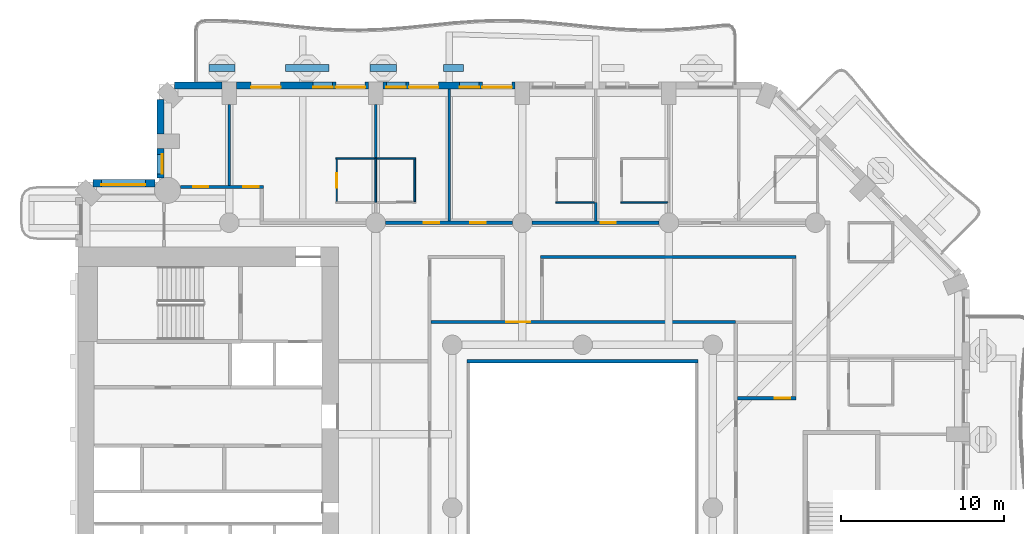
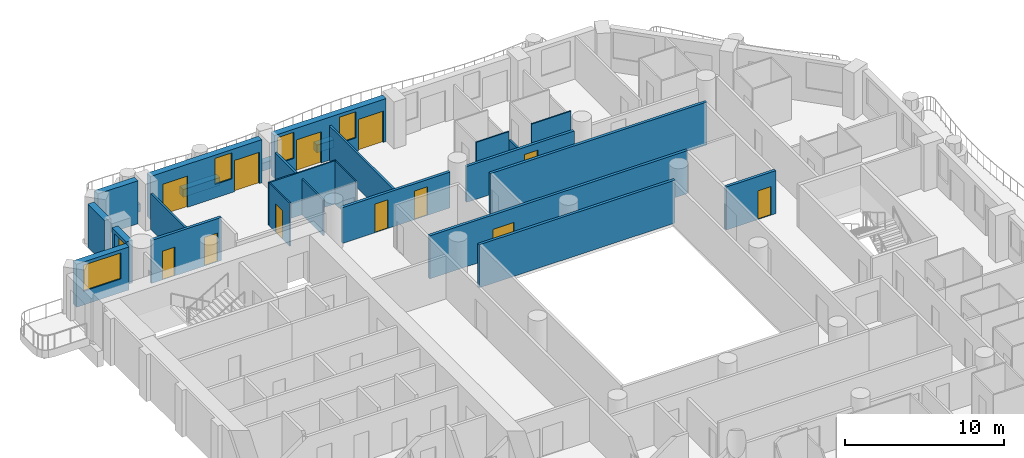
# One storey, part 8 of 20: 27 walls, 12 doors, 5 windows, 17 openings.
"""IFC4 building model written with IfcOpenShell, lengths in metres."""

from ifc_helpers import new_model, si_unit, direction, frame, frame_2d, origin, place, context, subcontext, project, spatial, rectangle, extrude, material, layer, layer_set, type_object, element, fill, save


model = new_model("IFC4")

# Units and contexts
model_context = context("Model", 3, precision=1e-05, world=origin(), true_north=direction((0.0, 1.0)))
body_context = subcontext(model_context, "Body", "Model", "MODEL_VIEW")
ifc_project = project(units=[si_unit("LENGTHUNIT", "METRE"), si_unit("AREAUNIT", "SQUARE_METRE"), si_unit("VOLUMEUNIT", "CUBIC_METRE"), si_unit("PLANEANGLEUNIT", "RADIAN"), si_unit("MASSUNIT", "GRAM", prefix="KILO")], contexts=[model_context])

# Site, building, storey
site_placement = place(None, origin())
site = spatial("IfcSite", under=ifc_project, at=site_placement, CompositionType="ELEMENT")
building_placement = place(site_placement, origin())
building = spatial("IfcBuilding", under=site, at=building_placement, Name="Cypress Arch Tower", CompositionType="ELEMENT")
storey_placement = place(building_placement, frame((0.0, 0.0, 59.10009765625)))
storey = spatial("IfcBuildingStorey", under=building, at=storey_placement, Name="L08", CompositionType="ELEMENT", Elevation=59.10009765625)

# Walls
ifc_material_1 = material(Name="Concrete C40/50, waterproofed", Category="concrete")
ifc_layer_1 = layer(ifc_material_1, 0.449951171875)
ifc_layer_set_1 = layer_set([ifc_layer_1], Name="Balcony planter wall PW450")
wall_type_1 = type_object("IfcWallType", Name="Balcony planter wall PW450", PredefinedType="SOLIDWALL", material=ifc_layer_set_1)
wall_1_placement = place(storey_placement, frame((-6.300048828125, 27.0, 0.0), z_axis=(0.0, 0.0, 1.0), x_axis=(-1.0, 0.0, 0.0)))
element("IfcWall", 1, at=wall_1_placement, inside=storey, type_object=wall_type_1, Name="Balcony planter wall L08-A08.3", PredefinedType="SOLIDWALL", context=body_context, shape_type="SweptSolid", body=[
    extrude(rectangle(XDim=1.25, YDim=0.449951171875, at=frame_2d((0.625, 0.0))), origin(), (0.0, 0.0, 1.0), 0.599853515625),
])
wall_2_placement = place(storey_placement, frame((-10.4375, 27.0, 0.0), z_axis=(0.0, 0.0, 1.0), x_axis=(-1.0, 0.0, 0.0)))
element("IfcWall", 2, at=wall_2_placement, inside=storey, type_object=wall_type_1, Name="Balcony planter wall L08-A08.4", PredefinedType="SOLIDWALL", context=body_context, shape_type="SweptSolid", body=[
    extrude(rectangle(XDim=1.612548828125, YDim=0.449951171875, at=frame_2d((0.80615234375, 0.0))), origin(), (0.0, 0.0, 1.0), 0.599853515625),
])
wall_3_placement = place(storey_placement, frame((-14.574951171875, 27.0, 0.0), z_axis=(0.0, 0.0, 1.0), x_axis=(-1.0, 0.0, 0.0)))
element("IfcWall", 3, at=wall_3_placement, inside=storey, type_object=wall_type_1, Name="Balcony planter wall L08-A08.5", PredefinedType="SOLIDWALL", context=body_context, shape_type="SweptSolid", body=[
    extrude(rectangle(XDim=2.675048828125, YDim=0.449951171875, at=frame_2d((1.33740234375, 0.0))), origin(), (0.0, 0.0, 1.0), 0.599853515625),
])
wall_4_placement = place(storey_placement, frame((-20.35009765625, 27.0, 0.0), z_axis=(0.0, 0.0, 1.0), x_axis=(-1.0, 0.0, 0.0)))
element("IfcWall", 4, at=wall_4_placement, inside=storey, type_object=wall_type_1, Name="Balcony planter wall L08-A08.6", PredefinedType="SOLIDWALL", context=body_context, shape_type="SweptSolid", body=[
    extrude(rectangle(XDim=1.599853515625, YDim=0.449951171875, at=frame_2d((0.7998046875, 0.0))), origin(), (0.0, 0.0, 1.0), 0.599853515625),
])

# Wall, openings, doors, windows
ifc_material_2 = material(Name="Brick (red buff blend)", Category="masonry")
ifc_layer_2 = layer(ifc_material_2, 0.449951171875)
ifc_layer_set_2 = layer_set([ifc_layer_2], Name="Brick pier and spandrel wall BW450")
wall_type_2 = type_object("IfcWallType", Name="Brick pier and spandrel wall BW450", PredefinedType="SOLIDWALL", material=ifc_layer_set_2)
wall_5_placement = place(storey_placement, frame((-3.14990234375, 25.925048828125, 0.0), z_axis=(0.0, 0.0, 1.0), x_axis=(-1.0, 0.0, 0.0)))
wall_5 = element("IfcWall", 5, at=wall_5_placement, inside=storey, type_object=wall_type_2, Name="Brick wall L08 A08.2", PredefinedType="SOLIDWALL", context=body_context, shape_type="SweptSolid", body=[
    extrude(rectangle(XDim=8.10009765625, YDim=0.449951171875, at=frame_2d((4.050048828125, 0.0))), origin(), (0.0, 0.0, 1.0), 3.2998046875),
])
opening_1_placement = place(wall_5_placement, frame((0.199951171875, 0.0, 0.0)))
opening_1 = element("IfcOpeningElement", 6, at=opening_1_placement, cuts=wall_5, Name="Opening D-L08-A08.2.1", PredefinedType="OPENING", context=body_context, shape_type="SweptSolid", body=[
    extrude(rectangle(XDim=1.800048828125, YDim=2.39990234375, at=frame_2d((0.89990234375, 1.199951171875))), frame((0.0, 0.23486328125, 0.0), z_axis=(0.0, -1.0, 0.0), x_axis=(1.0, 0.0, 0.0)), (0.0, 0.0, 1.0), 0.469970703125),
])
opening_2_placement = place(wall_5_placement, frame((2.199951171875, 0.0, 1.050048828125)))
opening_2 = element("IfcOpeningElement", 7, at=opening_2_placement, cuts=wall_5, Name="Opening W120HD", PredefinedType="OPENING", context=body_context, shape_type="SweptSolid", body=[
    extrude(rectangle(XDim=1.199951171875, YDim=2.0, at=frame_2d((0.60009765625, 1.0))), frame((0.0, 0.23486328125, 0.0), z_axis=(0.0, -1.0, 0.0), x_axis=(1.0, 0.0, 0.0)), (0.0, 0.0, 1.0), 0.469970703125),
])
opening_3_placement = place(wall_5_placement, frame((4.699951171875, 0.0, 0.0)))
opening_3 = element("IfcOpeningElement", 8, at=opening_3_placement, cuts=wall_5, Name="Opening D-L08-A08.2.2", PredefinedType="OPENING", context=body_context, shape_type="SweptSolid", body=[
    extrude(rectangle(XDim=1.800048828125, YDim=2.39990234375, at=frame_2d((0.89990234375, 1.199951171875))), frame((0.0, 0.23486328125, 0.0), z_axis=(0.0, -1.0, 0.0), x_axis=(1.0, 0.0, 0.0)), (0.0, 0.0, 1.0), 0.469970703125),
])
opening_4_placement = place(wall_5_placement, frame((6.699951171875, 0.0, 1.050048828125)))
opening_4 = element("IfcOpeningElement", 9, at=opening_4_placement, cuts=wall_5, Name="Opening W120HD", PredefinedType="OPENING", context=body_context, shape_type="SweptSolid", body=[
    extrude(rectangle(XDim=1.199951171875, YDim=2.0, at=frame_2d((0.60009765625, 1.0))), frame((0.0, 0.23486328125, 0.0), z_axis=(0.0, -1.0, 0.0), x_axis=(1.0, 0.0, 0.0)), (0.0, 0.0, 1.0), 0.469970703125),
])
ifc_material_3 = material(Name="Anodised aluminium, bronze finish, laminated low-emissivity double glazing, large-missile impact rated", Category="aluminium")
door_type_1 = type_object("IfcDoorType", Name="Balcony sliding door 1800x2400", OperationType="SLIDING_TO_LEFT", PredefinedType="DOOR", material=ifc_material_3)
door_1_placement = place(opening_1_placement, origin())
door_1 = element("IfcDoor", 10, at=door_1_placement, inside=storey, type_object=door_type_1, Name="Balcony door L08 A08.2.1", OperationType="SLIDING_TO_LEFT", OverallHeight=2.39990234375, OverallWidth=1.800048828125, PredefinedType="DOOR", context=body_context, shape_type="SweptSolid", body=[
    extrude(rectangle(XDim=1.800048828125, YDim=2.39990234375, at=frame_2d((0.89990234375, 1.199951171875))), frame((0.0, 0.1298828125, 0.0), z_axis=(0.0, -1.0, 0.0), x_axis=(1.0, 0.0, 0.0)), (0.0, 0.0, 1.0), 0.050048828125),
])
fill(opening_1, door_1)
door_2_placement = place(opening_3_placement, origin())
door_2 = element("IfcDoor", 11, at=door_2_placement, inside=storey, type_object=door_type_1, Name="Balcony door L08 A08.2.2", OperationType="SLIDING_TO_LEFT", OverallHeight=2.39990234375, OverallWidth=1.800048828125, PredefinedType="DOOR", context=body_context, shape_type="SweptSolid", body=[
    extrude(rectangle(XDim=1.800048828125, YDim=2.39990234375, at=frame_2d((0.89990234375, 1.199951171875))), frame((0.0, 0.1298828125, 0.0), z_axis=(0.0, -1.0, 0.0), x_axis=(1.0, 0.0, 0.0)), (0.0, 0.0, 1.0), 0.050048828125),
])
fill(opening_3, door_2)
ifc_material_4 = material(Name="Anodised aluminium, bronze finish, laminated low-emissivity double glazing, large-missile impact rated", Category="aluminium")
window_type_1 = type_object("IfcWindowType", Name="Window Hotel 1200x2000 debris-rated", PartitioningType="SINGLE_PANEL", PredefinedType="WINDOW", material=ifc_material_4)
window_1_placement = place(opening_2_placement, origin())
window_1 = element("IfcWindow", 12, at=window_1_placement, inside=storey, type_object=window_type_1, Name="Window L08 A08.2.1", OverallHeight=2.0, OverallWidth=1.199951171875, PartitioningType="SINGLE_PANEL", PredefinedType="WINDOW", context=body_context, shape_type="SweptSolid", body=[
    extrude(rectangle(XDim=1.199951171875, YDim=2.0, at=frame_2d((0.60009765625, 1.0))), frame((0.0, 0.135009765625, 0.0), z_axis=(0.0, -1.0, 0.0), x_axis=(1.0, 0.0, 0.0)), (0.0, 0.0, 1.0), 0.06005859375),
])
fill(opening_2, window_1)
window_2_placement = place(opening_4_placement, origin())
window_2 = element("IfcWindow", 13, at=window_2_placement, inside=storey, type_object=window_type_1, Name="Window L08 A08.2.2", OverallHeight=2.0, OverallWidth=1.199951171875, PartitioningType="SINGLE_PANEL", PredefinedType="WINDOW", context=body_context, shape_type="SweptSolid", body=[
    extrude(rectangle(XDim=1.199951171875, YDim=2.0, at=frame_2d((0.60009765625, 1.0))), frame((0.0, 0.135009765625, 0.0), z_axis=(0.0, -1.0, 0.0), x_axis=(1.0, 0.0, 0.0)), (0.0, 0.0, 1.0), 0.06005859375),
])
fill(opening_4, window_2)

# Wall, openings, doors, window
wall_6_placement = place(storey_placement, frame((-12.14990234375, 25.925048828125, 0.0), z_axis=(0.0, 0.0, 1.0), x_axis=(-1.0, 0.0, 0.0)))
wall_6 = element("IfcWall", 14, at=wall_6_placement, inside=storey, type_object=wall_type_2, Name="Brick wall L08 A08.3", PredefinedType="SOLIDWALL", context=body_context, shape_type="SweptSolid", body=[
    extrude(rectangle(XDim=8.10009765625, YDim=0.449951171875, at=frame_2d((4.050048828125, 0.0))), origin(), (0.0, 0.0, 1.0), 3.2998046875),
])
opening_5_placement = place(wall_6_placement, frame((0.199951171875, 0.0, 0.0)))
opening_5 = element("IfcOpeningElement", 15, at=opening_5_placement, cuts=wall_6, Name="Opening D-L08-A08.3.1", PredefinedType="OPENING", context=body_context, shape_type="SweptSolid", body=[
    extrude(rectangle(XDim=1.800048828125, YDim=2.39990234375, at=frame_2d((0.89990234375, 1.199951171875))), frame((0.0, 0.23486328125, 0.0), z_axis=(0.0, -1.0, 0.0), x_axis=(1.0, 0.0, 0.0)), (0.0, 0.0, 1.0), 0.469970703125),
])
opening_6_placement = place(wall_6_placement, frame((2.199951171875, 0.0, 1.050048828125)))
opening_6 = element("IfcOpeningElement", 16, at=opening_6_placement, cuts=wall_6, Name="Opening W120HD", PredefinedType="OPENING", context=body_context, shape_type="SweptSolid", body=[
    extrude(rectangle(XDim=1.199951171875, YDim=2.0, at=frame_2d((0.60009765625, 1.0))), frame((0.0, 0.23486328125, 0.0), z_axis=(0.0, -1.0, 0.0), x_axis=(1.0, 0.0, 0.0)), (0.0, 0.0, 1.0), 0.469970703125),
])
opening_7_placement = place(wall_6_placement, frame((5.39990234375, 0.0, 0.0)))
opening_7 = element("IfcOpeningElement", 17, at=opening_7_placement, cuts=wall_6, Name="Opening D-L08-A08.3.2", PredefinedType="OPENING", context=body_context, shape_type="SweptSolid", body=[
    extrude(rectangle(XDim=1.800048828125, YDim=2.39990234375, at=frame_2d((0.89990234375, 1.199951171875))), frame((0.0, 0.23486328125, 0.0), z_axis=(0.0, -1.0, 0.0), x_axis=(1.0, 0.0, 0.0)), (0.0, 0.0, 1.0), 0.469970703125),
])
door_3_placement = place(opening_5_placement, origin())
door_3 = element("IfcDoor", 18, at=door_3_placement, inside=storey, type_object=door_type_1, Name="Balcony door L08 A08.3.1", OperationType="SLIDING_TO_LEFT", OverallHeight=2.39990234375, OverallWidth=1.800048828125, PredefinedType="DOOR", context=body_context, shape_type="SweptSolid", body=[
    extrude(rectangle(XDim=1.800048828125, YDim=2.39990234375, at=frame_2d((0.89990234375, 1.199951171875))), frame((0.0, 0.1298828125, 0.0), z_axis=(0.0, -1.0, 0.0), x_axis=(1.0, 0.0, 0.0)), (0.0, 0.0, 1.0), 0.050048828125),
])
fill(opening_5, door_3)
door_4_placement = place(opening_7_placement, origin())
door_4 = element("IfcDoor", 19, at=door_4_placement, inside=storey, type_object=door_type_1, Name="Balcony door L08 A08.3.2", OperationType="SLIDING_TO_LEFT", OverallHeight=2.39990234375, OverallWidth=1.800048828125, PredefinedType="DOOR", context=body_context, shape_type="SweptSolid", body=[
    extrude(rectangle(XDim=1.800048828125, YDim=2.39990234375, at=frame_2d((0.89990234375, 1.199951171875))), frame((0.0, 0.1298828125, 0.0), z_axis=(0.0, -1.0, 0.0), x_axis=(1.0, 0.0, 0.0)), (0.0, 0.0, 1.0), 0.050048828125),
])
fill(opening_7, door_4)
window_3_placement = place(opening_6_placement, origin())
window_3 = element("IfcWindow", 20, at=window_3_placement, inside=storey, type_object=window_type_1, Name="Window L08 A08.3.1", OverallHeight=2.0, OverallWidth=1.199951171875, PartitioningType="SINGLE_PANEL", PredefinedType="WINDOW", context=body_context, shape_type="SweptSolid", body=[
    extrude(rectangle(XDim=1.199951171875, YDim=2.0, at=frame_2d((0.60009765625, 1.0))), frame((0.0, 0.135009765625, 0.0), z_axis=(0.0, -1.0, 0.0), x_axis=(1.0, 0.0, 0.0)), (0.0, 0.0, 1.0), 0.06005859375),
])
fill(opening_6, window_3)

# Walls
wall_7_placement = place(storey_placement, frame((-21.14990234375, 25.925048828125, 0.0), z_axis=(0.0, 0.0, 1.0), x_axis=(-1.0, 0.0, 0.0)))
element("IfcWall", 21, at=wall_7_placement, inside=storey, type_object=wall_type_2, Name="Brick wall L08 A08.4", PredefinedType="SOLIDWALL", context=body_context, shape_type="SweptSolid", body=[
    extrude(rectangle(XDim=2.913818359375, YDim=0.449951171875, at=frame_2d((1.45703125, 0.0))), origin(), (0.0, 0.0, 1.0), 3.2998046875),
])
wall_8_placement = place(storey_placement, frame((-24.925048828125, 25.063720703125, 0.0), z_axis=(0.0, 0.0, 1.0), x_axis=(0.0, -1.0, 0.0)))
element("IfcWall", 22, at=wall_8_placement, inside=storey, type_object=wall_type_2, Name="Brick wall L08 A09.0", PredefinedType="SOLIDWALL", context=body_context, shape_type="SweptSolid", body=[
    extrude(rectangle(XDim=2.11376953125, YDim=0.449951171875, at=frame_2d((1.056884765625, 0.0))), origin(), (0.0, 0.0, 1.0), 3.2998046875),
])

# Wall, opening, window
wall_9_placement = place(storey_placement, frame((-24.925048828125, 22.050048828125, 0.0), z_axis=(0.0, 0.0, 1.0), x_axis=(0.0, -1.0, 0.0)))
wall_9 = element("IfcWall", 23, at=wall_9_placement, inside=storey, type_object=wall_type_2, Name="Brick wall L08 A09.1", PredefinedType="SOLIDWALL", context=body_context, shape_type="SweptSolid", body=[
    extrude(rectangle(XDim=1.79150390625, YDim=0.449951171875, at=frame_2d((0.895751953125, 0.0))), origin(), (0.0, 0.0, 1.0), 3.2998046875),
])
opening_8_placement = place(wall_9_placement, frame((0.35009765625, 0.0, 1.050048828125)))
opening_8 = element("IfcOpeningElement", 24, at=opening_8_placement, cuts=wall_9, Name="Opening W120H", PredefinedType="OPENING", context=body_context, shape_type="SweptSolid", body=[
    extrude(rectangle(XDim=1.199951171875, YDim=2.0, at=frame_2d((0.60009765625, 1.0))), frame((0.0, 0.23486328125, 0.0), z_axis=(0.0, -1.0, 0.0), x_axis=(1.0, 0.0, 0.0)), (0.0, 0.0, 1.0), 0.469970703125),
])
ifc_material_5 = material(Name="Anodised aluminium, bronze finish, clear low-emissivity double glazing", Category="aluminium")
window_type_2 = type_object("IfcWindowType", Name="Window Hotel 1200x2000", PartitioningType="SINGLE_PANEL", PredefinedType="WINDOW", material=ifc_material_5)
window_4_placement = place(opening_8_placement, origin())
window_4 = element("IfcWindow", 25, at=window_4_placement, inside=storey, type_object=window_type_2, Name="Window L08 A09.1.1", OverallHeight=2.0, OverallWidth=1.199951171875, PartitioningType="SINGLE_PANEL", PredefinedType="WINDOW", context=body_context, shape_type="SweptSolid", body=[
    extrude(rectangle(XDim=1.199951171875, YDim=2.0, at=frame_2d((0.60009765625, 1.0))), frame((0.0, 0.135009765625, 0.0), z_axis=(0.0, -1.0, 0.0), x_axis=(1.0, 0.0, 0.0)), (0.0, 0.0, 1.0), 0.06005859375),
])
fill(opening_8, window_4)

wall_10_placement = place(storey_placement, frame((-25.258544921875, 19.925048828125, 0.0), z_axis=(0.0, 0.0, 1.0), x_axis=(-1.0, 0.0, 0.0)))
wall_10 = element("IfcWall", 26, at=wall_10_placement, inside=storey, type_object=wall_type_2, Name="Brick wall L08 A10.0", PredefinedType="SOLIDWALL", context=body_context, shape_type="SweptSolid", body=[
    extrude(rectangle(XDim=3.80517578125, YDim=0.449951171875, at=frame_2d((1.902587890625, 0.0))), origin(), (0.0, 0.0, 1.0), 3.2998046875),
])
opening_9_placement = place(wall_10_placement, frame((0.591552734375, 0.0, 1.050048828125)))
opening_9 = element("IfcOpeningElement", 27, at=opening_9_placement, cuts=wall_10, Name="Opening W270H", PredefinedType="OPENING", context=body_context, shape_type="SweptSolid", body=[
    extrude(rectangle(XDim=2.699951171875, YDim=2.0, at=frame_2d((1.35009765625, 1.0))), frame((0.0, 0.23486328125, 0.0), z_axis=(0.0, -1.0, 0.0), x_axis=(1.0, 0.0, 0.0)), (0.0, 0.0, 1.0), 0.469970703125),
])
ifc_material_6 = material(Name="Anodised aluminium, bronze finish, clear low-emissivity double glazing", Category="aluminium")
window_type_3 = type_object("IfcWindowType", Name="Window Hotel 2700x2000", PartitioningType="SINGLE_PANEL", PredefinedType="WINDOW", material=ifc_material_6)
window_5_placement = place(opening_9_placement, origin())
window_5 = element("IfcWindow", 28, at=window_5_placement, inside=storey, type_object=window_type_3, Name="Window L08 A10.0.1", OverallHeight=2.0, OverallWidth=2.699951171875, PartitioningType="SINGLE_PANEL", PredefinedType="WINDOW", context=body_context, shape_type="SweptSolid", body=[
    extrude(rectangle(XDim=2.699951171875, YDim=2.0, at=frame_2d((1.35009765625, 1.0))), frame((0.0, 0.135009765625, 0.0), z_axis=(0.0, -1.0, 0.0), x_axis=(1.0, 0.0, 0.0)), (0.0, 0.0, 1.0), 0.06005859375),
])
fill(opening_9, window_5)

# Wall, openings, doors
ifc_material_7 = material(Name="Concrete blockwork, plastered, rated", Category="masonry")
ifc_layer_3 = layer(ifc_material_7, 0.199951171875)
ifc_layer_set_3 = layer_set([ifc_layer_3], Name="Corridor wall FW200")
wall_type_3 = type_object("IfcWallType", Name="Corridor wall FW200", PredefinedType="PARTITIONING", material=ifc_layer_set_3)
wall_11_placement = place(storey_placement, frame((-23.7001953125, 19.699951171875, 0.0), z_axis=(0.0, 0.0, 1.0), x_axis=(1.0, 0.0, 0.0)))
wall_11 = element("IfcWall", 29, at=wall_11_placement, inside=storey, type_object=wall_type_3, Name="Corridor wall", PredefinedType="PARTITIONING", context=body_context, shape_type="SweptSolid", body=[
    extrude(rectangle(XDim=5.10009765625, YDim=0.199951171875, at=frame_2d((2.550048828125, 0.0))), origin(), (0.0, 0.0, 1.0), 3.2998046875),
])
opening_10_placement = place(wall_11_placement, frame((0.800048828125, 0.0, 0.0)))
opening_10 = element("IfcOpeningElement", 30, at=opening_10_placement, cuts=wall_11, Name="Opening D05", PredefinedType="OPENING", context=body_context, shape_type="SweptSolid", body=[
    extrude(rectangle(XDim=0.89990234375, YDim=2.199951171875, at=frame_2d((0.449951171875, 1.10009765625))), frame((0.0, 0.10986328125, 0.0), z_axis=(0.0, -1.0, 0.0), x_axis=(1.0, 0.0, 0.0)), (0.0, 0.0, 1.0), 0.219970703125),
])
opening_11_placement = place(wall_11_placement, frame((3.85009765625, 0.0, 0.0)))
opening_11 = element("IfcOpeningElement", 31, at=opening_11_placement, cuts=wall_11, Name="Opening D02", PredefinedType="OPENING", context=body_context, shape_type="SweptSolid", body=[
    extrude(rectangle(XDim=0.949951171875, YDim=2.199951171875, at=frame_2d((0.47509765625, 1.10009765625))), frame((0.0, 0.10986328125, 0.0), z_axis=(0.0, -1.0, 0.0), x_axis=(1.0, 0.0, 0.0)), (0.0, 0.0, 1.0), 0.219970703125),
])
ifc_material_8 = material(Name="Timber flush door, fire resisting", Category="wood")
door_type_2 = type_object("IfcDoorType", Name="Room door D02 950x2200", OperationType="SINGLE_SWING_LEFT", PredefinedType="DOOR", material=ifc_material_8)
door_5_placement = place(opening_11_placement, origin())
door_5 = element("IfcDoor", 32, at=door_5_placement, inside=storey, type_object=door_type_2, Name="Room door", OperationType="SINGLE_SWING_LEFT", OverallHeight=2.199951171875, OverallWidth=0.949951171875, PredefinedType="DOOR", context=body_context, shape_type="SweptSolid", body=[
    extrude(rectangle(XDim=0.949951171875, YDim=2.199951171875, at=frame_2d((0.47509765625, 1.10009765625))), frame((0.0, 0.02490234375, 0.0), z_axis=(0.0, -1.0, 0.0), x_axis=(1.0, 0.0, 0.0)), (0.0, 0.0, 1.0), 0.050048828125),
])
fill(opening_11, door_5)
ifc_material_9 = material(Name="Timber flush door", Category="wood")
door_type_3 = type_object("IfcDoorType", Name="Service door D05 900x2200", OperationType="SINGLE_SWING_LEFT", PredefinedType="DOOR", material=ifc_material_9)
door_6_placement = place(opening_10_placement, origin())
door_6 = element("IfcDoor", 33, at=door_6_placement, inside=storey, type_object=door_type_3, Name="Service door", OperationType="SINGLE_SWING_LEFT", OverallHeight=2.199951171875, OverallWidth=0.89990234375, PredefinedType="DOOR", context=body_context, shape_type="SweptSolid", body=[
    extrude(rectangle(XDim=0.89990234375, YDim=2.199951171875, at=frame_2d((0.449951171875, 1.10009765625))), frame((0.0, 0.02490234375, 0.0), z_axis=(0.0, -1.0, 0.0), x_axis=(1.0, 0.0, 0.0)), (0.0, 0.0, 1.0), 0.050048828125),
])
fill(opening_10, door_6)

wall_12_placement = place(storey_placement, frame((-11.10009765625, 17.5, 0.0), z_axis=(0.0, 0.0, 1.0), x_axis=(1.0, 0.0, 0.0)))
wall_12 = element("IfcWall", 34, at=wall_12_placement, inside=storey, type_object=wall_type_3, Name="Corridor wall", PredefinedType="PARTITIONING", context=body_context, shape_type="SweptSolid", body=[
    extrude(rectangle(XDim=7.800048828125, YDim=0.199951171875, at=frame_2d((3.89990234375, 0.0))), origin(), (0.0, 0.0, 1.0), 2.75),
])
opening_12_placement = place(wall_12_placement, frame((2.35009765625, 0.0, 0.0)))
opening_12 = element("IfcOpeningElement", 35, at=opening_12_placement, cuts=wall_12, Name="Opening D02", PredefinedType="OPENING", context=body_context, shape_type="SweptSolid", body=[
    extrude(rectangle(XDim=0.949951171875, YDim=2.199951171875, at=frame_2d((0.47509765625, 1.10009765625))), frame((0.0, 0.10986328125, 0.0), z_axis=(0.0, -1.0, 0.0), x_axis=(1.0, 0.0, 0.0)), (0.0, 0.0, 1.0), 0.219970703125),
])
opening_13_placement = place(wall_12_placement, frame((5.199951171875, 0.0, 0.0)))
opening_13 = element("IfcOpeningElement", 36, at=opening_13_placement, cuts=wall_12, Name="Opening D02", PredefinedType="OPENING", context=body_context, shape_type="SweptSolid", body=[
    extrude(rectangle(XDim=0.949951171875, YDim=2.199951171875, at=frame_2d((0.47509765625, 1.10009765625))), frame((0.0, 0.10986328125, 0.0), z_axis=(0.0, -1.0, 0.0), x_axis=(1.0, 0.0, 0.0)), (0.0, 0.0, 1.0), 0.219970703125),
])
door_7_placement = place(opening_12_placement, origin())
door_7 = element("IfcDoor", 37, at=door_7_placement, inside=storey, type_object=door_type_2, Name="Room door", OperationType="SINGLE_SWING_RIGHT", OverallHeight=2.199951171875, OverallWidth=0.949951171875, PredefinedType="DOOR", context=body_context, shape_type="SweptSolid", body=[
    extrude(rectangle(XDim=0.949951171875, YDim=2.199951171875, at=frame_2d((0.47509765625, 1.10009765625))), frame((0.0, 0.02490234375, 0.0), z_axis=(0.0, -1.0, 0.0), x_axis=(1.0, 0.0, 0.0)), (0.0, 0.0, 1.0), 0.050048828125),
])
fill(opening_12, door_7)
door_8_placement = place(opening_13_placement, origin())
door_8 = element("IfcDoor", 38, at=door_8_placement, inside=storey, type_object=door_type_2, Name="Room door", OperationType="SINGLE_SWING_LEFT", OverallHeight=2.199951171875, OverallWidth=0.949951171875, PredefinedType="DOOR", context=body_context, shape_type="SweptSolid", body=[
    extrude(rectangle(XDim=0.949951171875, YDim=2.199951171875, at=frame_2d((0.47509765625, 1.10009765625))), frame((0.0, 0.02490234375, 0.0), z_axis=(0.0, -1.0, 0.0), x_axis=(1.0, 0.0, 0.0)), (0.0, 0.0, 1.0), 0.050048828125),
])
fill(opening_13, door_8)

# Wall, opening, door
wall_13_placement = place(storey_placement, frame((-2.10009765625, 17.5, 0.0), z_axis=(0.0, 0.0, 1.0), x_axis=(1.0, 0.0, 0.0)))
wall_13 = element("IfcWall", 39, at=wall_13_placement, inside=storey, type_object=wall_type_3, Name="Corridor wall", PredefinedType="PARTITIONING", context=body_context, shape_type="SweptSolid", body=[
    extrude(rectangle(XDim=7.800048828125, YDim=0.199951171875, at=frame_2d((3.89990234375, 0.0))), origin(), (0.0, 0.0, 1.0), 2.75),
])
opening_14_placement = place(wall_13_placement, frame((4.199951171875, 0.0, 0.0)))
opening_14 = element("IfcOpeningElement", 40, at=opening_14_placement, cuts=wall_13, Name="Opening D02", PredefinedType="OPENING", context=body_context, shape_type="SweptSolid", body=[
    extrude(rectangle(XDim=0.949951171875, YDim=2.199951171875, at=frame_2d((0.47509765625, 1.10009765625))), frame((0.0, 0.10986328125, 0.0), z_axis=(0.0, -1.0, 0.0), x_axis=(1.0, 0.0, 0.0)), (0.0, 0.0, 1.0), 0.219970703125),
])
door_9_placement = place(opening_14_placement, origin())
door_9 = element("IfcDoor", 41, at=door_9_placement, inside=storey, type_object=door_type_2, Name="Room door", OperationType="SINGLE_SWING_LEFT", OverallHeight=2.199951171875, OverallWidth=0.949951171875, PredefinedType="DOOR", context=body_context, shape_type="SweptSolid", body=[
    extrude(rectangle(XDim=0.949951171875, YDim=2.199951171875, at=frame_2d((0.47509765625, 1.10009765625))), frame((0.0, 0.02490234375, 0.0), z_axis=(0.0, -1.0, 0.0), x_axis=(1.0, 0.0, 0.0)), (0.0, 0.0, 1.0), 0.050048828125),
])
fill(opening_14, door_9)

wall_14_placement = place(storey_placement, frame((-8.300048828125, 11.39990234375, 0.0), z_axis=(0.0, 0.0, 1.0), x_axis=(1.0, 0.0, 0.0)))
wall_14 = element("IfcWall", 42, at=wall_14_placement, inside=storey, type_object=wall_type_3, Name="Corridor wall", PredefinedType="PARTITIONING", context=body_context, shape_type="SweptSolid", body=[
    extrude(rectangle(XDim=18.699951171875, YDim=0.199951171875, at=frame_2d((9.35009765625, 0.0))), origin(), (0.0, 0.0, 1.0), 3.2998046875),
])
opening_15_placement = place(wall_14_placement, frame((4.60009765625, 0.0, 0.0)))
opening_15 = element("IfcOpeningElement", 43, at=opening_15_placement, cuts=wall_14, Name="Opening D04", PredefinedType="OPENING", context=body_context, shape_type="SweptSolid", body=[
    extrude(rectangle(XDim=1.5, YDim=2.199951171875, at=frame_2d((0.75, 1.10009765625))), frame((0.0, 0.10986328125, 0.0), z_axis=(0.0, -1.0, 0.0), x_axis=(1.0, 0.0, 0.0)), (0.0, 0.0, 1.0), 0.219970703125),
])
ifc_material_10 = material(Name="Timber double door", Category="wood")
door_type_4 = type_object("IfcDoorType", Name="Double door D04 1500x2200", OperationType="DOUBLE_DOOR_SINGLE_SWING", PredefinedType="DOOR", material=ifc_material_10)
door_10_placement = place(opening_15_placement, origin())
door_10 = element("IfcDoor", 44, at=door_10_placement, inside=storey, type_object=door_type_4, Name="Double door", OperationType="DOUBLE_DOOR_SINGLE_SWING", OverallHeight=2.199951171875, OverallWidth=1.5, PredefinedType="DOOR", context=body_context, shape_type="SweptSolid", body=[
    extrude(rectangle(XDim=1.5, YDim=2.199951171875, at=frame_2d((0.75, 1.10009765625))), frame((0.0, 0.02490234375, 0.0), z_axis=(0.0, -1.0, 0.0), x_axis=(1.0, 0.0, 0.0)), (0.0, 0.0, 1.0), 0.050048828125),
])
fill(opening_15, door_10)

# Walls
wall_15_placement = place(storey_placement, frame((-6.10009765625, 9.0, 0.0), z_axis=(0.0, 0.0, 1.0), x_axis=(1.0, 0.0, 0.0)))
element("IfcWall", 45, at=wall_15_placement, inside=storey, type_object=wall_type_3, Name="Corridor wall", PredefinedType="PARTITIONING", context=body_context, shape_type="SweptSolid", body=[
    extrude(rectangle(XDim=14.2001953125, YDim=0.199951171875, at=frame_2d((7.10009765625, 0.0))), origin(), (0.0, 0.0, 1.0), 3.2998046875),
])
wall_16_placement = place(storey_placement, frame((-1.60009765625, 15.39990234375, 0.0), z_axis=(0.0, 0.0, 1.0), x_axis=(1.0, 0.0, 0.0)))
element("IfcWall", 46, at=wall_16_placement, inside=storey, type_object=wall_type_3, Name="Corridor wall", PredefinedType="PARTITIONING", context=body_context, shape_type="SweptSolid", body=[
    extrude(rectangle(XDim=15.7001953125, YDim=0.199951171875, at=frame_2d((7.85009765625, 0.0))), origin(), (0.0, 0.0, 1.0), 3.2998046875),
])

# Wall, opening, door
wall_17_placement = place(storey_placement, frame((10.5, 6.72509765625, 0.0), z_axis=(0.0, 0.0, 1.0), x_axis=(1.0, 0.0, 0.0)))
wall_17 = element("IfcWall", 47, at=wall_17_placement, inside=storey, type_object=wall_type_3, Name="Corridor wall", PredefinedType="PARTITIONING", context=body_context, shape_type="SweptSolid", body=[
    extrude(rectangle(XDim=3.60009765625, YDim=0.199951171875, at=frame_2d((1.800048828125, 0.0))), origin(), (0.0, 0.0, 1.0), 3.2998046875),
])
opening_16_placement = place(wall_17_placement, frame((2.300048828125, 0.0, 0.0)))
opening_16 = element("IfcOpeningElement", 48, at=opening_16_placement, cuts=wall_17, Name="Opening D02", PredefinedType="OPENING", context=body_context, shape_type="SweptSolid", body=[
    extrude(rectangle(XDim=0.949951171875, YDim=2.199951171875, at=frame_2d((0.47509765625, 1.10009765625))), frame((0.0, 0.10986328125, 0.0), z_axis=(0.0, -1.0, 0.0), x_axis=(1.0, 0.0, 0.0)), (0.0, 0.0, 1.0), 0.219970703125),
])
door_11_placement = place(opening_16_placement, origin())
door_11 = element("IfcDoor", 49, at=door_11_placement, inside=storey, type_object=door_type_2, Name="Room door", OperationType="SINGLE_SWING_RIGHT", OverallHeight=2.199951171875, OverallWidth=0.949951171875, PredefinedType="DOOR", context=body_context, shape_type="SweptSolid", body=[
    extrude(rectangle(XDim=0.949951171875, YDim=2.199951171875, at=frame_2d((0.47509765625, 1.10009765625))), frame((0.0, 0.02490234375, 0.0), z_axis=(0.0, -1.0, 0.0), x_axis=(1.0, 0.0, 0.0)), (0.0, 0.0, 1.0), 0.050048828125),
])
fill(opening_16, door_11)

# Walls
ifc_material_11 = material(Name="Blockwork, plastered both sides", Category="masonry")
ifc_layer_4 = layer(ifc_material_11, 0.14990234375)
ifc_layer_set_4 = layer_set([ifc_layer_4], Name="Partition PW150")
wall_type_4 = type_object("IfcWallType", Name="Partition PW150", PredefinedType="PARTITIONING", material=ifc_layer_set_4)
wall_18_placement = place(storey_placement, frame((-20.699951171875, 19.800048828125, 0.0), z_axis=(0.0, 0.0, 1.0), x_axis=(0.0, 1.0, 0.0)))
element("IfcWall", 50, at=wall_18_placement, inside=storey, type_object=wall_type_4, Name="Partition", PredefinedType="PARTITIONING", context=body_context, shape_type="SweptSolid", body=[
    extrude(rectangle(XDim=4.949951171875, YDim=0.14990234375, at=frame_2d((2.47509765625, 0.0))), origin(), (0.0, 0.0, 1.0), 2.75),
])
wall_19_placement = place(storey_placement, frame((-11.699951171875, 21.449951171875, 0.0), z_axis=(0.0, 0.0, 1.0), x_axis=(0.0, 1.0, 0.0)))
element("IfcWall", 51, at=wall_19_placement, inside=storey, type_object=wall_type_4, Name="Partition", PredefinedType="PARTITIONING", context=body_context, shape_type="SweptSolid", body=[
    extrude(rectangle(XDim=3.300048828125, YDim=0.14990234375, at=frame_2d((1.64990234375, 0.0))), origin(), (0.0, 0.0, 1.0), 2.75),
])
wall_20_placement = place(storey_placement, frame((-7.199951171875, 17.60009765625, 0.0), z_axis=(0.0, 0.0, 1.0), x_axis=(0.0, 1.0, 0.0)))
element("IfcWall", 52, at=wall_20_placement, inside=storey, type_object=wall_type_4, Name="Partition", PredefinedType="PARTITIONING", context=body_context, shape_type="SweptSolid", body=[
    extrude(rectangle(XDim=8.099853515625, YDim=0.14990234375, at=frame_2d((4.0498046875, 0.0))), origin(), (0.0, 0.0, 1.0), 2.64990234375),
])
wall_21_placement = place(storey_placement, frame((1.800048828125, 17.60009765625, 0.0), z_axis=(0.0, 0.0, 1.0), x_axis=(0.0, 1.0, 0.0)))
element("IfcWall", 53, at=wall_21_placement, inside=storey, type_object=wall_type_4, Name="Partition", PredefinedType="PARTITIONING", context=body_context, shape_type="SweptSolid", body=[
    extrude(rectangle(XDim=1.1298828125, YDim=0.14990234375, at=frame_2d((0.56494140625, 0.0))), origin(), (0.0, 0.0, 1.0), 2.64990234375),
])

# Wall, opening, door
ifc_material_12 = material(Name="Moisture resistant board on steel studs, tiled", Category="steel")
ifc_layer_5 = layer(ifc_material_12, 0.10009765625)
ifc_layer_set_5 = layer_set([ifc_layer_5], Name="Wet wall PW100")
wall_type_5 = type_object("IfcWallType", Name="Wet wall PW100", PredefinedType="PARTITIONING", material=ifc_layer_set_5)
wall_22_placement = place(storey_placement, frame((-14.095947265625, 18.800048828125, 0.0), z_axis=(0.0, 0.0, 1.0), x_axis=(0.0, 1.0, 0.0)))
wall_22 = element("IfcWall", 54, at=wall_22_placement, inside=storey, type_object=wall_type_5, Name="Wet wall", PredefinedType="PARTITIONING", context=body_context, shape_type="SweptSolid", body=[
    extrude(rectangle(XDim=2.599853515625, YDim=0.10009765625, at=frame_2d((1.2998046875, 0.0))), origin(), (0.0, 0.0, 1.0), 3.2998046875),
])
opening_17_placement = place(wall_22_placement, frame((0.85009765625, 0.0, 0.0)))
opening_17 = element("IfcOpeningElement", 55, at=opening_17_placement, cuts=wall_22, Name="Opening D03", PredefinedType="OPENING", context=body_context, shape_type="SweptSolid", body=[
    extrude(rectangle(XDim=0.89990234375, YDim=2.199951171875, at=frame_2d((0.449951171875, 1.10009765625))), frame((0.0, 0.06005859375, 0.0), z_axis=(0.0, -1.0, 0.0), x_axis=(1.0, 0.0, 0.0)), (0.0, 0.0, 1.0), 0.1201171875),
])
ifc_material_13 = material(Name="Timber flush door, moisture resistant", Category="wood")
door_type_5 = type_object("IfcDoorType", Name="Bathroom door D03 900x2200", OperationType="SINGLE_SWING_LEFT", PredefinedType="DOOR", material=ifc_material_13)
door_12_placement = place(opening_17_placement, origin())
door_12 = element("IfcDoor", 56, at=door_12_placement, inside=storey, type_object=door_type_5, Name="Bathroom door", OperationType="SINGLE_SWING_RIGHT", OverallHeight=2.199951171875, OverallWidth=0.89990234375, PredefinedType="DOOR", context=body_context, shape_type="SweptSolid", body=[
    extrude(rectangle(XDim=0.89990234375, YDim=2.199951171875, at=frame_2d((0.449951171875, 1.10009765625))), frame((0.0, 0.02490234375, 0.0), z_axis=(0.0, -1.0, 0.0), x_axis=(1.0, 0.0, 0.0)), (0.0, 0.0, 1.0), 0.050048828125),
])
fill(opening_17, door_12)

# Walls
wall_23_placement = place(storey_placement, frame((-14.14599609375, 21.449951171875, 0.0), z_axis=(0.0, 0.0, 1.0), x_axis=(1.0, 0.0, 0.0)))
element("IfcWall", 57, at=wall_23_placement, inside=storey, type_object=wall_type_5, Name="Wet wall", PredefinedType="PARTITIONING", context=body_context, shape_type="SweptSolid", body=[
    extrude(rectangle(XDim=4.89208984375, YDim=0.10009765625, at=frame_2d((2.446044921875, 0.0))), origin(), (0.0, 0.0, 1.0), 3.2998046875),
])
wall_24_placement = place(storey_placement, frame((-11.699951171875, 18.72998046875, 0.0), z_axis=(0.0, 0.0, 1.0), x_axis=(0.0, 1.0, 0.0)))
element("IfcWall", 58, at=wall_24_placement, inside=storey, type_object=wall_type_5, Name="Wet wall", PredefinedType="PARTITIONING", context=body_context, shape_type="SweptSolid", body=[
    extrude(rectangle(XDim=2.719970703125, YDim=0.10009765625, at=frame_2d((1.35986328125, 0.0))), origin(), (0.0, 0.0, 1.0), 2.75),
])
wall_25_placement = place(storey_placement, frame((-9.303955078125, 18.800048828125, 0.0), z_axis=(0.0, 0.0, 1.0), x_axis=(0.0, 1.0, 0.0)))
element("IfcWall", 59, at=wall_25_placement, inside=storey, type_object=wall_type_5, Name="Wet wall", PredefinedType="PARTITIONING", context=body_context, shape_type="SweptSolid", body=[
    extrude(rectangle(XDim=2.599853515625, YDim=0.10009765625, at=frame_2d((1.2998046875, 0.0))), origin(), (0.0, 0.0, 1.0), 3.2998046875),
])
wall_26_placement = place(storey_placement, frame((-0.64599609375, 18.75, 0.0), z_axis=(0.0, 0.0, 1.0), x_axis=(1.0, 0.0, 0.0)))
element("IfcWall", 60, at=wall_26_placement, inside=storey, type_object=wall_type_5, Name="Wet wall", PredefinedType="PARTITIONING", context=body_context, shape_type="SweptSolid", body=[
    extrude(rectangle(XDim=2.37109375, YDim=0.10009765625, at=frame_2d((1.185546875, 0.0))), origin(), (0.0, 0.0, 1.0), 3.2998046875),
])
wall_27_placement = place(storey_placement, frame((3.35400390625, 18.75, 0.0), z_axis=(0.0, 0.0, 1.0), x_axis=(1.0, 0.0, 0.0)))
element("IfcWall", 61, at=wall_27_placement, inside=storey, type_object=wall_type_5, Name="Wet wall", PredefinedType="PARTITIONING", context=body_context, shape_type="SweptSolid", body=[
    extrude(rectangle(XDim=2.87109375, YDim=0.10009765625, at=frame_2d((1.435546875, 0.0))), origin(), (0.0, 0.0, 1.0), 3.2998046875),
])

save(model, "model.ifc")
